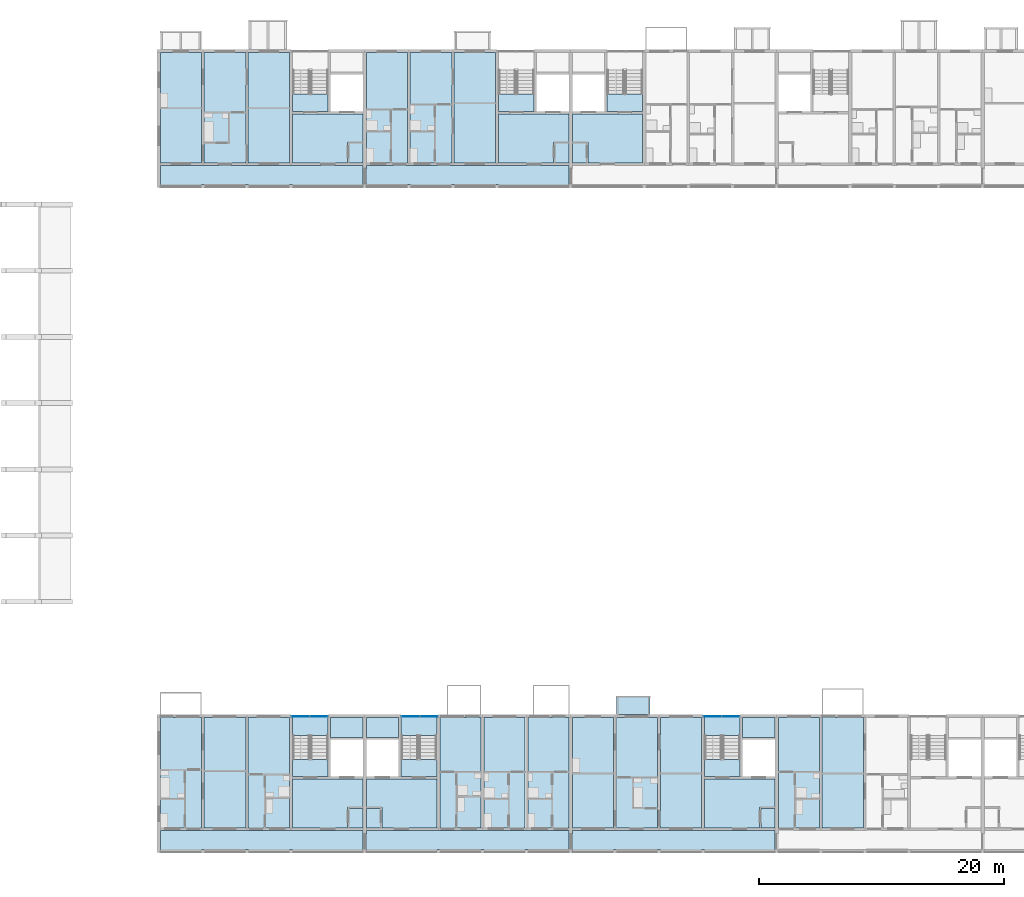
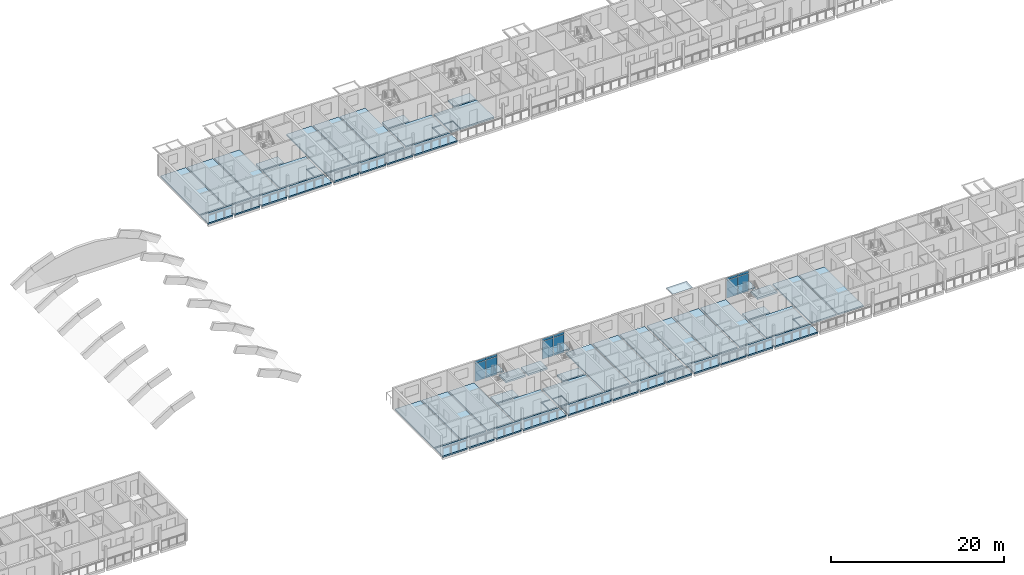
# One storey, part 25 of 99: 47 slabs, 12 plates, 6 elements without a shape of their own.
"""IFC4 building model written with IfcOpenShell, lengths in metres."""

from ifc_helpers import new_model, si_unit, direction, frame, origin, origin_2d, place, context, subcontext, project, spatial, polyline, rectangle, outline, extrude, material, layer, layer_set, type_object, element, aggregate, save


model = new_model("IFC4")

# Units and contexts
model_context = context("Model", 3, precision=1e-05, world=origin(), true_north=direction((0.0, 1.0)))
body_context = subcontext(model_context, "Body", "Model", "MODEL_VIEW")
ifc_project = project(units=[si_unit("LENGTHUNIT", "METRE"), si_unit("AREAUNIT", "SQUARE_METRE"), si_unit("VOLUMEUNIT", "CUBIC_METRE"), si_unit("PLANEANGLEUNIT", "RADIAN"), si_unit("MASSUNIT", "GRAM", prefix="KILO")], contexts=[model_context])

# Site, building, storey
site_placement = place(None, origin())
site = spatial("IfcSite", under=ifc_project, at=site_placement, CompositionType="ELEMENT")
building_placement = place(site_placement, origin())
building = spatial("IfcBuilding", under=site, at=building_placement, Name="Ridgestep Commons", CompositionType="ELEMENT")
storey_placement = place(building_placement, frame((0.0, 0.0, 15.0)))
storey = spatial("IfcBuildingStorey", under=building, at=storey_placement, Name="L05", CompositionType="ELEMENT", Elevation=15.0)

# Slabs
ifc_material_1 = material(Name="Precast concrete C40/50", Category="concrete")
ifc_layer_1 = layer(ifc_material_1, 0.199951171875)
ifc_layer_set_1 = layer_set([ifc_layer_1], Name="Gallery slab 200")
slab_type_1 = type_object("IfcSlabType", Name="Gallery slab 200", PredefinedType="FLOOR", material=ifc_layer_set_1)
slab_1_placement = place(storey_placement, frame((0.0, 0.0, -0.199951171875)))
element("IfcSlab", 1, at=slab_1_placement, inside=storey, type_object=slab_type_1, Name="Gallery slab C1 L05", PredefinedType="FLOOR", context=body_context, shape_type="SweptSolid", body=[
    extrude(outline(polyline([(163.449951171875, 67.800048828125), (146.949951171875, 67.800048828125), (146.949951171875, 66.0), (150.27490234375, 66.0), (150.27490234375, 66.25), (150.52490234375, 66.25), (150.52490234375, 66.0), (153.875, 66.0), (153.875, 66.25), (154.125, 66.25), (154.125, 66.0), (157.47509765625, 66.0), (157.47509765625, 66.25), (157.72509765625, 66.25), (157.72509765625, 66.0), (163.449951171875, 66.0), (163.449951171875, 67.800048828125)])), origin(), (0.0, 0.0, 1.0), 0.199951171875),
])
slab_2_placement = place(storey_placement, frame((0.0, 0.0, -0.199951171875)))
element("IfcSlab", 2, at=slab_2_placement, inside=storey, type_object=slab_type_1, Name="Gallery slab C2 L05", PredefinedType="FLOOR", context=body_context, shape_type="SweptSolid", body=[
    extrude(outline(polyline([(180.25, 67.800048828125), (163.75, 67.800048828125), (163.75, 66.0), (167.074951171875, 66.0), (167.074951171875, 66.25), (167.324951171875, 66.25), (167.324951171875, 66.0), (170.675048828125, 66.0), (170.675048828125, 66.25), (170.925048828125, 66.25), (170.925048828125, 66.0), (174.27490234375, 66.0), (174.27490234375, 66.25), (174.52490234375, 66.25), (174.52490234375, 66.0), (180.25, 66.0), (180.25, 67.800048828125)])), origin(), (0.0, 0.0, 1.0), 0.199951171875),
])
slab_3_placement = place(storey_placement, frame((0.0, 0.0, -0.199951171875)))
element("IfcSlab", 3, at=slab_3_placement, inside=storey, type_object=slab_type_1, Name="Gallery slab D1 L05", PredefinedType="FLOOR", context=body_context, shape_type="SweptSolid", body=[
    extrude(outline(polyline([(163.449951171875, 13.550048828125), (146.949951171875, 13.550048828125), (146.949951171875, 11.75), (150.27490234375, 11.75), (150.27490234375, 12.0), (150.52490234375, 12.0), (150.52490234375, 11.75), (153.875, 11.75), (153.875, 12.0), (154.125, 12.0), (154.125, 11.75), (157.47509765625, 11.75), (157.47509765625, 12.0), (157.72509765625, 12.0), (157.72509765625, 11.75), (163.449951171875, 11.75), (163.449951171875, 13.550048828125)])), origin(), (0.0, 0.0, 1.0), 0.199951171875),
])
slab_4_placement = place(storey_placement, frame((0.0, 0.0, -0.199951171875)))
element("IfcSlab", 4, at=slab_4_placement, inside=storey, type_object=slab_type_1, Name="Gallery slab D2 L05", PredefinedType="FLOOR", context=body_context, shape_type="SweptSolid", body=[
    extrude(outline(polyline([(180.25, 13.550048828125), (163.75, 13.550048828125), (163.75, 11.75), (169.47509765625, 11.75), (169.47509765625, 12.0), (169.72509765625, 12.0), (169.72509765625, 11.75), (173.074951171875, 11.75), (173.074951171875, 12.0), (173.324951171875, 12.0), (173.324951171875, 11.75), (176.675048828125, 11.75), (176.675048828125, 12.0), (176.925048828125, 12.0), (176.925048828125, 11.75), (180.25, 11.75), (180.25, 13.550048828125)])), origin(), (0.0, 0.0, 1.0), 0.199951171875),
])
slab_5_placement = place(storey_placement, frame((0.0, 0.0, -0.199951171875)))
element("IfcSlab", 5, at=slab_5_placement, inside=storey, type_object=slab_type_1, Name="Gallery slab D3 L05", PredefinedType="FLOOR", context=body_context, shape_type="SweptSolid", body=[
    extrude(outline(polyline([(197.050048828125, 13.550048828125), (180.550048828125, 13.550048828125), (180.550048828125, 11.75), (183.875, 11.75), (183.875, 12.0), (184.125, 12.0), (184.125, 11.75), (187.47509765625, 11.75), (187.47509765625, 12.0), (187.72509765625, 12.0), (187.72509765625, 11.75), (191.074951171875, 11.75), (191.074951171875, 12.0), (191.324951171875, 12.0), (191.324951171875, 11.75), (197.050048828125, 11.75), (197.050048828125, 13.550048828125)])), origin(), (0.0, 0.0, 1.0), 0.199951171875),
])

# Curtain wall, plates
ifc_material_2 = material(Name="Aluminium 6063-T6 and glass", Category="aluminium")
curtain_wall_type = type_object("IfcCurtainWallType", Name="Curtain wall stair strip", PredefinedType="NOTDEFINED", material=ifc_material_2)
curtain_wall_1_placement = place(storey_placement, origin())
curtain_wall_1 = element("IfcCurtainWall", 6, at=curtain_wall_1_placement, inside=storey, type_object=curtain_wall_type, Name="Curtain wall D1C level 05", PredefinedType="NOTDEFINED")
ifc_material_3 = material(Name="Glass laminated 6/16/6 low-emissivity", Category="glass")
ifc_layer_2 = layer(ifc_material_3, 0.028076171875)
ifc_layer_set_2 = layer_set([ifc_layer_2], Name="Glazing panel 28")
plate_type_1 = type_object("IfcPlateType", Name="Glazing panel 28", PredefinedType="CURTAIN_PANEL", material=ifc_layer_set_2)
plate_1_placement = place(storey_placement, frame((158.371337890625, 22.830078125, 0.06005859375), z_axis=(0.0, 0.0, 1.0), x_axis=(1.0, 0.0, 0.0)))
plate_1 = element("IfcPlate", 7, at=plate_1_placement, type_object=plate_type_1, Name="CW1 panel 1.1", PredefinedType="CURTAIN_PANEL", context=body_context, shape_type="SweptSolid", body=[
    extrude(rectangle(XDim=1.422607421875, YDim=0.028076171875, at=origin_2d()), origin(), (0.0, 0.0, 1.0), 2.5),
])
plate_2_placement = place(storey_placement, frame((159.853759765625, 22.830078125, 0.06005859375), z_axis=(0.0, 0.0, 1.0), x_axis=(1.0, 0.0, 0.0)))
plate_2 = element("IfcPlate", 8, at=plate_2_placement, type_object=plate_type_1, Name="CW1 panel 2.1", PredefinedType="CURTAIN_PANEL", context=body_context, shape_type="SweptSolid", body=[
    extrude(rectangle(XDim=1.422607421875, YDim=0.028076171875, at=origin_2d()), origin(), (0.0, 0.0, 1.0), 2.5),
])

curtain_wall_2_placement = place(storey_placement, origin())
curtain_wall_2 = element("IfcCurtainWall", 9, at=curtain_wall_2_placement, inside=storey, type_object=curtain_wall_type, Name="Curtain wall D2C level 05", PredefinedType="NOTDEFINED")
plate_3_placement = place(storey_placement, frame((167.34619140625, 22.830078125, 0.06005859375), z_axis=(0.0, 0.0, 1.0), x_axis=(1.0, 0.0, 0.0)))
plate_3 = element("IfcPlate", 10, at=plate_3_placement, type_object=plate_type_1, Name="CW1 panel 1.1", PredefinedType="CURTAIN_PANEL", context=body_context, shape_type="SweptSolid", body=[
    extrude(rectangle(XDim=1.422607421875, YDim=0.028076171875, at=origin_2d()), origin(), (0.0, 0.0, 1.0), 2.5),
])
plate_4_placement = place(storey_placement, frame((168.828857421875, 22.830078125, 0.06005859375), z_axis=(0.0, 0.0, 1.0), x_axis=(1.0, 0.0, 0.0)))
plate_4 = element("IfcPlate", 11, at=plate_4_placement, type_object=plate_type_1, Name="CW1 panel 2.1", PredefinedType="CURTAIN_PANEL", context=body_context, shape_type="SweptSolid", body=[
    extrude(rectangle(XDim=1.422607421875, YDim=0.028076171875, at=origin_2d()), origin(), (0.0, 0.0, 1.0), 2.5),
])

curtain_wall_3_placement = place(storey_placement, origin())
curtain_wall_3 = element("IfcCurtainWall", 12, at=curtain_wall_3_placement, inside=storey, type_object=curtain_wall_type, Name="Curtain wall D3C level 05", PredefinedType="NOTDEFINED")
plate_5_placement = place(storey_placement, frame((191.97119140625, 22.830078125, 0.06005859375), z_axis=(0.0, 0.0, 1.0), x_axis=(1.0, 0.0, 0.0)))
plate_5 = element("IfcPlate", 13, at=plate_5_placement, type_object=plate_type_1, Name="CW1 panel 1.1", PredefinedType="CURTAIN_PANEL", context=body_context, shape_type="SweptSolid", body=[
    extrude(rectangle(XDim=1.422607421875, YDim=0.028076171875, at=origin_2d()), origin(), (0.0, 0.0, 1.0), 2.5),
])
plate_6_placement = place(storey_placement, frame((193.453857421875, 22.830078125, 0.06005859375), z_axis=(0.0, 0.0, 1.0), x_axis=(1.0, 0.0, 0.0)))
plate_6 = element("IfcPlate", 14, at=plate_6_placement, type_object=plate_type_1, Name="CW1 panel 2.1", PredefinedType="CURTAIN_PANEL", context=body_context, shape_type="SweptSolid", body=[
    extrude(rectangle(XDim=1.422607421875, YDim=0.028076171875, at=origin_2d()), origin(), (0.0, 0.0, 1.0), 2.5),
])

# Slabs
ifc_material_4 = material(Name="Precast concrete C50/60", Category="concrete")
ifc_layer_3 = layer(ifc_material_4, 0.199951171875)
ifc_layer_set_3 = layer_set([ifc_layer_3], Name="Hollow-core plank 200")
slab_type_2 = type_object("IfcSlabType", Name="Hollow-core plank 200", PredefinedType="FLOOR", material=ifc_layer_set_3)
slab_6_placement = place(storey_placement, frame((0.0, 0.0, -0.199951171875)))
element("IfcSlab", 15, at=slab_6_placement, inside=storey, type_object=slab_type_2, Name="Floor plank C1T1 L05", PredefinedType="FLOOR", context=body_context, shape_type="SweptSolid", body=[
    extrude(outline(polyline([(150.300048828125, 68.0), (150.300048828125, 77.0), (146.949951171875, 77.0), (146.949951171875, 68.0), (150.300048828125, 68.0)])), origin(), (0.0, 0.0, 1.0), 0.199951171875),
])
slab_7_placement = place(storey_placement, frame((0.0, 0.0, -0.199951171875)))
element("IfcSlab", 16, at=slab_7_placement, inside=storey, type_object=slab_type_2, Name="Floor plank C1T2 L05", PredefinedType="FLOOR", context=body_context, shape_type="SweptSolid", body=[
    extrude(outline(polyline([(153.89990234375, 68.0), (153.89990234375, 77.0), (150.5, 77.0), (150.5, 68.0), (153.89990234375, 68.0)])), origin(), (0.0, 0.0, 1.0), 0.199951171875),
])
slab_8_placement = place(storey_placement, frame((0.0, 0.0, -0.199951171875)))
element("IfcSlab", 17, at=slab_8_placement, inside=storey, type_object=slab_type_2, Name="Floor plank C1T3 L05", PredefinedType="FLOOR", context=body_context, shape_type="SweptSolid", body=[
    extrude(outline(polyline([(157.47509765625, 68.0), (157.47509765625, 77.0), (154.10009765625, 77.0), (154.10009765625, 68.0), (157.47509765625, 68.0)])), origin(), (0.0, 0.0, 1.0), 0.199951171875),
])
slab_9_placement = place(storey_placement, frame((0.0, 0.0, -0.199951171875)))
element("IfcSlab", 18, at=slab_9_placement, inside=storey, type_object=slab_type_2, Name="Floor plank C2T1 L05", PredefinedType="FLOOR", context=body_context, shape_type="SweptSolid", body=[
    extrude(outline(polyline([(167.10009765625, 68.0), (167.10009765625, 77.0), (163.75, 77.0), (163.75, 68.0), (167.10009765625, 68.0)])), origin(), (0.0, 0.0, 1.0), 0.199951171875),
])
slab_10_placement = place(storey_placement, frame((0.0, 0.0, -0.199951171875)))
element("IfcSlab", 19, at=slab_10_placement, inside=storey, type_object=slab_type_2, Name="Floor plank C2T2 L05", PredefinedType="FLOOR", context=body_context, shape_type="SweptSolid", body=[
    extrude(outline(polyline([(170.699951171875, 68.0), (170.699951171875, 77.0), (167.300048828125, 77.0), (167.300048828125, 68.0), (170.699951171875, 68.0)])), origin(), (0.0, 0.0, 1.0), 0.199951171875),
])
slab_11_placement = place(storey_placement, frame((0.0, 0.0, -0.199951171875)))
element("IfcSlab", 20, at=slab_11_placement, inside=storey, type_object=slab_type_2, Name="Floor plank C2T3 L05", PredefinedType="FLOOR", context=body_context, shape_type="SweptSolid", body=[
    extrude(outline(polyline([(174.27490234375, 68.0), (174.27490234375, 77.0), (170.89990234375, 77.0), (170.89990234375, 68.0), (174.27490234375, 68.0)])), origin(), (0.0, 0.0, 1.0), 0.199951171875),
])
slab_12_placement = place(storey_placement, frame((0.0, 0.0, -0.199951171875)))
element("IfcSlab", 21, at=slab_12_placement, inside=storey, type_object=slab_type_2, Name="Floor plank D1T1 L05", PredefinedType="FLOOR", context=body_context, shape_type="SweptSolid", body=[
    extrude(outline(polyline([(150.300048828125, 13.75), (150.300048828125, 22.75), (146.949951171875, 22.75), (146.949951171875, 13.75), (150.300048828125, 13.75)])), origin(), (0.0, 0.0, 1.0), 0.199951171875),
])
slab_13_placement = place(storey_placement, frame((0.0, 0.0, -0.199951171875)))
element("IfcSlab", 22, at=slab_13_placement, inside=storey, type_object=slab_type_2, Name="Floor plank D1T2 L05", PredefinedType="FLOOR", context=body_context, shape_type="SweptSolid", body=[
    extrude(outline(polyline([(153.89990234375, 13.75), (153.89990234375, 22.75), (150.5, 22.75), (150.5, 13.75), (153.89990234375, 13.75)])), origin(), (0.0, 0.0, 1.0), 0.199951171875),
])
slab_14_placement = place(storey_placement, frame((0.0, 0.0, -0.199951171875)))
element("IfcSlab", 23, at=slab_14_placement, inside=storey, type_object=slab_type_2, Name="Floor plank D1T3 L05", PredefinedType="FLOOR", context=body_context, shape_type="SweptSolid", body=[
    extrude(outline(polyline([(157.47509765625, 13.75), (157.47509765625, 22.75), (154.10009765625, 22.75), (154.10009765625, 13.75), (157.47509765625, 13.75)])), origin(), (0.0, 0.0, 1.0), 0.199951171875),
])
slab_15_placement = place(storey_placement, frame((0.0, 0.0, -0.199951171875)))
element("IfcSlab", 24, at=slab_15_placement, inside=storey, type_object=slab_type_2, Name="Floor plank D2T3 L05", PredefinedType="FLOOR", context=body_context, shape_type="SweptSolid", body=[
    extrude(outline(polyline([(173.074951171875, 13.75), (173.074951171875, 22.75), (169.72509765625, 22.75), (169.72509765625, 13.75), (173.074951171875, 13.75)])), origin(), (0.0, 0.0, 1.0), 0.199951171875),
])
slab_16_placement = place(storey_placement, frame((0.0, 0.0, -0.199951171875)))
element("IfcSlab", 25, at=slab_16_placement, inside=storey, type_object=slab_type_2, Name="Floor plank D2T2 L05", PredefinedType="FLOOR", context=body_context, shape_type="SweptSolid", body=[
    extrude(outline(polyline([(176.675048828125, 13.75), (176.675048828125, 22.75), (173.324951171875, 22.75), (173.324951171875, 13.75), (176.675048828125, 13.75)])), origin(), (0.0, 0.0, 1.0), 0.199951171875),
])
slab_17_placement = place(storey_placement, frame((0.0, 0.0, -0.199951171875)))
element("IfcSlab", 26, at=slab_17_placement, inside=storey, type_object=slab_type_2, Name="Floor plank D2T1 L05", PredefinedType="FLOOR", context=body_context, shape_type="SweptSolid", body=[
    extrude(outline(polyline([(180.25, 13.75), (180.25, 22.75), (176.925048828125, 22.75), (176.925048828125, 13.75), (180.25, 13.75)])), origin(), (0.0, 0.0, 1.0), 0.199951171875),
])
slab_18_placement = place(storey_placement, frame((0.0, 0.0, -0.199951171875)))
element("IfcSlab", 27, at=slab_18_placement, inside=storey, type_object=slab_type_2, Name="Floor plank D3T1 L05", PredefinedType="FLOOR", context=body_context, shape_type="SweptSolid", body=[
    extrude(outline(polyline([(183.875, 13.75), (183.875, 22.75), (180.550048828125, 22.75), (180.550048828125, 13.75), (183.875, 13.75)])), origin(), (0.0, 0.0, 1.0), 0.199951171875),
])
slab_19_placement = place(storey_placement, frame((0.0, 0.0, -0.199951171875)))
element("IfcSlab", 28, at=slab_19_placement, inside=storey, type_object=slab_type_2, Name="Floor plank D3T2 L05", PredefinedType="FLOOR", context=body_context, shape_type="SweptSolid", body=[
    extrude(outline(polyline([(187.47509765625, 13.75), (187.47509765625, 22.75), (184.125, 22.75), (184.125, 13.75), (187.47509765625, 13.75)])), origin(), (0.0, 0.0, 1.0), 0.199951171875),
])
slab_20_placement = place(storey_placement, frame((0.0, 0.0, -0.199951171875)))
element("IfcSlab", 29, at=slab_20_placement, inside=storey, type_object=slab_type_2, Name="Floor plank D3T3 L05", PredefinedType="FLOOR", context=body_context, shape_type="SweptSolid", body=[
    extrude(outline(polyline([(191.074951171875, 13.75), (191.074951171875, 22.75), (187.72509765625, 22.75), (187.72509765625, 13.75), (191.074951171875, 13.75)])), origin(), (0.0, 0.0, 1.0), 0.199951171875),
])
slab_21_placement = place(storey_placement, frame((0.0, 0.0, -0.199951171875)))
element("IfcSlab", 30, at=slab_21_placement, inside=storey, type_object=slab_type_2, Name="Floor plank D4T1 L05", PredefinedType="FLOOR", context=body_context, shape_type="SweptSolid", body=[
    extrude(outline(polyline([(200.699951171875, 13.75), (200.699951171875, 22.75), (197.35009765625, 22.75), (197.35009765625, 13.75), (200.699951171875, 13.75)])), origin(), (0.0, 0.0, 1.0), 0.199951171875),
])
slab_22_placement = place(storey_placement, frame((0.0, 0.0, -0.199951171875)))
element("IfcSlab", 31, at=slab_22_placement, inside=storey, type_object=slab_type_2, Name="Floor plank D4T2 L05", PredefinedType="FLOOR", context=body_context, shape_type="SweptSolid", body=[
    extrude(outline(polyline([(204.27490234375, 13.75), (204.27490234375, 22.75), (200.89990234375, 22.75), (200.89990234375, 13.75), (204.27490234375, 13.75)])), origin(), (0.0, 0.0, 1.0), 0.199951171875),
])
ifc_material_5 = material(Name="Precast concrete C50/60", Category="concrete")
ifc_layer_4 = layer(ifc_material_5, 0.25)
ifc_layer_set_4 = layer_set([ifc_layer_4], Name="Hollow-core plank 250")
slab_type_3 = type_object("IfcSlabType", Name="Hollow-core plank 250", PredefinedType="FLOOR", material=ifc_layer_set_4)
slab_23_placement = place(storey_placement, frame((0.0, 0.0, -0.25)))
element("IfcSlab", 32, at=slab_23_placement, inside=storey, type_object=slab_type_3, Name="Floor plank C1C L05", PredefinedType="FLOOR", context=body_context, shape_type="SweptSolid", body=[
    extrude(outline(polyline([(162.320068359375, 69.719970703125), (163.449951171875, 69.719970703125), (163.449951171875, 72.0), (157.72509765625, 72.0), (157.72509765625, 68.0), (162.199951171875, 68.0), (162.199951171875, 69.719970703125), (162.320068359375, 69.719970703125)])), origin(), (0.0, 0.0, 1.0), 0.25),
])
slab_24_placement = place(storey_placement, frame((0.0, 0.0, -0.25)))
element("IfcSlab", 33, at=slab_24_placement, inside=storey, type_object=slab_type_3, Name="Floor plank C1C L05", PredefinedType="FLOOR", context=body_context, shape_type="SweptSolid", body=[
    extrude(outline(polyline([(160.625, 72.199951171875), (160.625, 73.60009765625), (157.72509765625, 73.60009765625), (157.72509765625, 72.199951171875), (160.625, 72.199951171875)])), origin(), (0.0, 0.0, 1.0), 0.25),
])
slab_25_placement = place(storey_placement, frame((0.0, 0.0, -0.25)))
element("IfcSlab", 34, at=slab_25_placement, inside=storey, type_object=slab_type_3, Name="Floor plank C1C L05", PredefinedType="FLOOR", context=body_context, shape_type="SweptSolid", body=[
    extrude(outline(polyline([(162.320068359375, 68.0), (163.449951171875, 68.0), (163.449951171875, 69.60009765625), (162.320068359375, 69.60009765625), (162.320068359375, 68.0)])), origin(), (0.0, 0.0, 1.0), 0.25),
])
slab_26_placement = place(storey_placement, frame((0.0, 0.0, -0.25)))
element("IfcSlab", 35, at=slab_26_placement, inside=storey, type_object=slab_type_3, Name="Floor plank C2C L05", PredefinedType="FLOOR", context=body_context, shape_type="SweptSolid", body=[
    extrude(outline(polyline([(179.1201171875, 69.719970703125), (180.25, 69.719970703125), (180.25, 72.0), (174.52490234375, 72.0), (174.52490234375, 68.0), (179.0, 68.0), (179.0, 69.719970703125), (179.1201171875, 69.719970703125)])), origin(), (0.0, 0.0, 1.0), 0.25),
])
slab_27_placement = place(storey_placement, frame((0.0, 0.0, -0.25)))
element("IfcSlab", 36, at=slab_27_placement, inside=storey, type_object=slab_type_3, Name="Floor plank C2C L05", PredefinedType="FLOOR", context=body_context, shape_type="SweptSolid", body=[
    extrude(outline(polyline([(177.425048828125, 72.199951171875), (177.425048828125, 73.60009765625), (174.52490234375, 73.60009765625), (174.52490234375, 72.199951171875), (177.425048828125, 72.199951171875)])), origin(), (0.0, 0.0, 1.0), 0.25),
])
slab_28_placement = place(storey_placement, frame((0.0, 0.0, -0.25)))
element("IfcSlab", 37, at=slab_28_placement, inside=storey, type_object=slab_type_3, Name="Floor plank C2C L05", PredefinedType="FLOOR", context=body_context, shape_type="SweptSolid", body=[
    extrude(outline(polyline([(179.1201171875, 68.0), (180.25, 68.0), (180.25, 69.60009765625), (179.1201171875, 69.60009765625), (179.1201171875, 68.0)])), origin(), (0.0, 0.0, 1.0), 0.25),
])
slab_29_placement = place(storey_placement, frame((0.0, 0.0, -0.25)))
element("IfcSlab", 38, at=slab_29_placement, inside=storey, type_object=slab_type_3, Name="Floor plank C3C L05", PredefinedType="FLOOR", context=body_context, shape_type="SweptSolid", body=[
    extrude(outline(polyline([(181.800048828125, 68.0), (186.27490234375, 68.0), (186.27490234375, 72.0), (180.550048828125, 72.0), (180.550048828125, 69.719970703125), (181.679931640625, 69.719970703125), (181.800048828125, 69.719970703125), (181.800048828125, 68.0)])), origin(), (0.0, 0.0, 1.0), 0.25),
])
slab_30_placement = place(storey_placement, frame((0.0, 0.0, -0.25)))
element("IfcSlab", 39, at=slab_30_placement, inside=storey, type_object=slab_type_3, Name="Floor plank C3C L05", PredefinedType="FLOOR", context=body_context, shape_type="SweptSolid", body=[
    extrude(outline(polyline([(186.27490234375, 72.199951171875), (186.27490234375, 73.60009765625), (183.375, 73.60009765625), (183.375, 72.199951171875), (186.27490234375, 72.199951171875)])), origin(), (0.0, 0.0, 1.0), 0.25),
])
slab_31_placement = place(storey_placement, frame((0.0, 0.0, -0.25)))
element("IfcSlab", 40, at=slab_31_placement, inside=storey, type_object=slab_type_3, Name="Floor plank C3C L05", PredefinedType="FLOOR", context=body_context, shape_type="SweptSolid", body=[
    extrude(outline(polyline([(181.679931640625, 69.60009765625), (180.550048828125, 69.60009765625), (180.550048828125, 68.0), (181.679931640625, 68.0), (181.679931640625, 69.60009765625)])), origin(), (0.0, 0.0, 1.0), 0.25),
])
slab_32_placement = place(storey_placement, frame((0.0, 0.0, -0.25)))
element("IfcSlab", 41, at=slab_32_placement, inside=storey, type_object=slab_type_3, Name="Floor plank D1C L05", PredefinedType="FLOOR", context=body_context, shape_type="SweptSolid", body=[
    extrude(outline(polyline([(162.320068359375, 15.469970703125), (163.449951171875, 15.469970703125), (163.449951171875, 17.75), (157.72509765625, 17.75), (157.72509765625, 13.75), (162.199951171875, 13.75), (162.199951171875, 15.469970703125), (162.320068359375, 15.469970703125)])), origin(), (0.0, 0.0, 1.0), 0.25),
])
slab_33_placement = place(storey_placement, frame((0.0, 0.0, -0.25)))
element("IfcSlab", 42, at=slab_33_placement, inside=storey, type_object=slab_type_3, Name="Floor plank D1C L05", PredefinedType="FLOOR", context=body_context, shape_type="SweptSolid", body=[
    extrude(outline(polyline([(163.449951171875, 21.14990234375), (163.449951171875, 22.75), (160.824951171875, 22.75), (160.824951171875, 21.14990234375), (163.449951171875, 21.14990234375)])), origin(), (0.0, 0.0, 1.0), 0.25),
])
slab_34_placement = place(storey_placement, frame((0.0, 0.0, -0.25)))
element("IfcSlab", 43, at=slab_34_placement, inside=storey, type_object=slab_type_3, Name="Floor plank D1C L05", PredefinedType="FLOOR", context=body_context, shape_type="SweptSolid", body=[
    extrude(outline(polyline([(160.625, 17.949951171875), (160.625, 19.35009765625), (157.72509765625, 19.35009765625), (157.72509765625, 17.949951171875), (160.625, 17.949951171875)])), origin(), (0.0, 0.0, 1.0), 0.25),
])
slab_35_placement = place(storey_placement, frame((0.0, 0.0, -0.25)))
element("IfcSlab", 44, at=slab_35_placement, inside=storey, type_object=slab_type_3, Name="Floor plank D1C L05", PredefinedType="FLOOR", context=body_context, shape_type="SweptSolid", body=[
    extrude(outline(polyline([(162.320068359375, 13.75), (163.449951171875, 13.75), (163.449951171875, 15.35009765625), (162.320068359375, 15.35009765625), (162.320068359375, 13.75)])), origin(), (0.0, 0.0, 1.0), 0.25),
])
slab_36_placement = place(storey_placement, frame((0.0, 0.0, -0.25)))
element("IfcSlab", 45, at=slab_36_placement, inside=storey, type_object=slab_type_3, Name="Floor plank D2C L05", PredefinedType="FLOOR", context=body_context, shape_type="SweptSolid", body=[
    extrude(outline(polyline([(165.0, 13.75), (169.47509765625, 13.75), (169.47509765625, 17.75), (163.75, 17.75), (163.75, 15.469970703125), (164.8798828125, 15.469970703125), (165.0, 15.469970703125), (165.0, 13.75)])), origin(), (0.0, 0.0, 1.0), 0.25),
])
slab_37_placement = place(storey_placement, frame((0.0, 0.0, -0.25)))
element("IfcSlab", 46, at=slab_37_placement, inside=storey, type_object=slab_type_3, Name="Floor plank D2C L05", PredefinedType="FLOOR", context=body_context, shape_type="SweptSolid", body=[
    extrude(outline(polyline([(166.375, 22.75), (163.75, 22.75), (163.75, 21.14990234375), (166.375, 21.14990234375), (166.375, 22.75)])), origin(), (0.0, 0.0, 1.0), 0.25),
])
slab_38_placement = place(storey_placement, frame((0.0, 0.0, -0.25)))
element("IfcSlab", 47, at=slab_38_placement, inside=storey, type_object=slab_type_3, Name="Floor plank D2C L05", PredefinedType="FLOOR", context=body_context, shape_type="SweptSolid", body=[
    extrude(outline(polyline([(169.47509765625, 17.949951171875), (169.47509765625, 19.35009765625), (166.574951171875, 19.35009765625), (166.574951171875, 17.949951171875), (169.47509765625, 17.949951171875)])), origin(), (0.0, 0.0, 1.0), 0.25),
])
slab_39_placement = place(storey_placement, frame((0.0, 0.0, -0.25)))
element("IfcSlab", 48, at=slab_39_placement, inside=storey, type_object=slab_type_3, Name="Floor plank D2C L05", PredefinedType="FLOOR", context=body_context, shape_type="SweptSolid", body=[
    extrude(outline(polyline([(164.8798828125, 15.35009765625), (163.75, 15.35009765625), (163.75, 13.75), (164.8798828125, 13.75), (164.8798828125, 15.35009765625)])), origin(), (0.0, 0.0, 1.0), 0.25),
])
slab_40_placement = place(storey_placement, frame((0.0, 0.0, -0.25)))
element("IfcSlab", 49, at=slab_40_placement, inside=storey, type_object=slab_type_3, Name="Floor plank D3C L05", PredefinedType="FLOOR", context=body_context, shape_type="SweptSolid", body=[
    extrude(outline(polyline([(195.919921875, 15.469970703125), (197.050048828125, 15.469970703125), (197.050048828125, 17.75), (191.324951171875, 17.75), (191.324951171875, 13.75), (195.800048828125, 13.75), (195.800048828125, 15.469970703125), (195.919921875, 15.469970703125)])), origin(), (0.0, 0.0, 1.0), 0.25),
])
slab_41_placement = place(storey_placement, frame((0.0, 0.0, -0.25)))
element("IfcSlab", 50, at=slab_41_placement, inside=storey, type_object=slab_type_3, Name="Floor plank D3C L05", PredefinedType="FLOOR", context=body_context, shape_type="SweptSolid", body=[
    extrude(outline(polyline([(197.050048828125, 21.14990234375), (197.050048828125, 22.75), (194.425048828125, 22.75), (194.425048828125, 21.14990234375), (197.050048828125, 21.14990234375)])), origin(), (0.0, 0.0, 1.0), 0.25),
])
slab_42_placement = place(storey_placement, frame((0.0, 0.0, -0.25)))
element("IfcSlab", 51, at=slab_42_placement, inside=storey, type_object=slab_type_3, Name="Floor plank D3C L05", PredefinedType="FLOOR", context=body_context, shape_type="SweptSolid", body=[
    extrude(outline(polyline([(194.22509765625, 17.949951171875), (194.22509765625, 19.35009765625), (191.324951171875, 19.35009765625), (191.324951171875, 17.949951171875), (194.22509765625, 17.949951171875)])), origin(), (0.0, 0.0, 1.0), 0.25),
])
slab_43_placement = place(storey_placement, frame((0.0, 0.0, -0.25)))
element("IfcSlab", 52, at=slab_43_placement, inside=storey, type_object=slab_type_3, Name="Floor plank D3C L05", PredefinedType="FLOOR", context=body_context, shape_type="SweptSolid", body=[
    extrude(outline(polyline([(195.919921875, 13.75), (197.050048828125, 13.75), (197.050048828125, 15.35009765625), (195.919921875, 15.35009765625), (195.919921875, 13.75)])), origin(), (0.0, 0.0, 1.0), 0.25),
])

# Plate
ifc_material_6 = material(Name="Aluminium 6063-T6 and mineral wool", Category="aluminium")
ifc_layer_5 = layer(ifc_material_6, 0.0400390625)
ifc_layer_set_5 = layer_set([ifc_layer_5], Name="Spandrel panel 40")
plate_type_2 = type_object("IfcPlateType", Name="Spandrel panel 40", PredefinedType="CURTAIN_PANEL", material=ifc_layer_set_5)
plate_7_placement = place(storey_placement, frame((158.371337890625, 22.830078125, 2.6201171875), z_axis=(0.0, 0.0, 1.0), x_axis=(1.0, 0.0, 0.0)))
plate_7 = element("IfcPlate", 53, at=plate_7_placement, type_object=plate_type_2, Name="CW1 panel 1.2", PredefinedType="CURTAIN_PANEL", context=body_context, shape_type="SweptSolid", body=[
    extrude(rectangle(XDim=1.422607421875, YDim=0.0400390625, at=origin_2d()), origin(), (0.0, 0.0, 1.0), 0.320068359375),
])

plate_8_placement = place(storey_placement, frame((159.853759765625, 22.830078125, 2.6201171875), z_axis=(0.0, 0.0, 1.0), x_axis=(1.0, 0.0, 0.0)))
plate_8 = element("IfcPlate", 54, at=plate_8_placement, type_object=plate_type_2, Name="CW1 panel 2.2", PredefinedType="CURTAIN_PANEL", context=body_context, shape_type="SweptSolid", body=[
    extrude(rectangle(XDim=1.422607421875, YDim=0.0400390625, at=origin_2d()), origin(), (0.0, 0.0, 1.0), 0.320068359375),
])

aggregate(curtain_wall_1, [plate_1, plate_7, plate_2, plate_8])

plate_9_placement = place(storey_placement, frame((167.34619140625, 22.830078125, 2.6201171875), z_axis=(0.0, 0.0, 1.0), x_axis=(1.0, 0.0, 0.0)))
plate_9 = element("IfcPlate", 55, at=plate_9_placement, type_object=plate_type_2, Name="CW1 panel 1.2", PredefinedType="CURTAIN_PANEL", context=body_context, shape_type="SweptSolid", body=[
    extrude(rectangle(XDim=1.422607421875, YDim=0.0400390625, at=origin_2d()), origin(), (0.0, 0.0, 1.0), 0.320068359375),
])

plate_10_placement = place(storey_placement, frame((168.828857421875, 22.830078125, 2.6201171875), z_axis=(0.0, 0.0, 1.0), x_axis=(1.0, 0.0, 0.0)))
plate_10 = element("IfcPlate", 56, at=plate_10_placement, type_object=plate_type_2, Name="CW1 panel 2.2", PredefinedType="CURTAIN_PANEL", context=body_context, shape_type="SweptSolid", body=[
    extrude(rectangle(XDim=1.422607421875, YDim=0.0400390625, at=origin_2d()), origin(), (0.0, 0.0, 1.0), 0.320068359375),
])

aggregate(curtain_wall_2, [plate_3, plate_9, plate_4, plate_10])

plate_11_placement = place(storey_placement, frame((191.97119140625, 22.830078125, 2.6201171875), z_axis=(0.0, 0.0, 1.0), x_axis=(1.0, 0.0, 0.0)))
plate_11 = element("IfcPlate", 57, at=plate_11_placement, type_object=plate_type_2, Name="CW1 panel 1.2", PredefinedType="CURTAIN_PANEL", context=body_context, shape_type="SweptSolid", body=[
    extrude(rectangle(XDim=1.422607421875, YDim=0.0400390625, at=origin_2d()), origin(), (0.0, 0.0, 1.0), 0.320068359375),
])

plate_12_placement = place(storey_placement, frame((193.453857421875, 22.830078125, 2.6201171875), z_axis=(0.0, 0.0, 1.0), x_axis=(1.0, 0.0, 0.0)))
plate_12 = element("IfcPlate", 58, at=plate_12_placement, type_object=plate_type_2, Name="CW1 panel 2.2", PredefinedType="CURTAIN_PANEL", context=body_context, shape_type="SweptSolid", body=[
    extrude(rectangle(XDim=1.422607421875, YDim=0.0400390625, at=origin_2d()), origin(), (0.0, 0.0, 1.0), 0.320068359375),
])

aggregate(curtain_wall_3, [plate_5, plate_11, plate_6, plate_12])

# Stair, slab
ifc_material_7 = material(Name="Precast concrete C40/50", Category="concrete")
stair_type = type_object("IfcStairType", Name="Escape stair 1400", PredefinedType="HALF_TURN_STAIR", material=ifc_material_7)
stair_1_placement = place(storey_placement, origin())
stair_1 = element("IfcStair", 59, at=stair_1_placement, inside=storey, type_object=stair_type, Name="L05 Escape stair D1C", PredefinedType="HALF_TURN_STAIR")
ifc_material_8 = material(Name="Precast concrete C40/50", Category="concrete")
ifc_layer_6 = layer(ifc_material_8, 0.199951171875)
ifc_layer_set_6 = layer_set([ifc_layer_6], Name="Stair landing 200")
slab_type_4 = type_object("IfcSlabType", Name="Stair landing 200", PredefinedType="LANDING", material=ifc_layer_set_6)
slab_44_placement = place(storey_placement, frame((0.0, 0.0, 1.300048828125)))
slab_44 = element("IfcSlab", 60, at=slab_44_placement, type_object=slab_type_4, Name="D1C landing 1", PredefinedType="LANDING", context=body_context, shape_type="SweptSolid", body=[
    extrude(outline(polyline([(160.625, 21.31005859375), (160.625, 22.75), (157.72509765625, 22.75), (157.72509765625, 21.31005859375), (160.625, 21.31005859375)])), origin(), (0.0, 0.0, 1.0), 0.199951171875),
])
aggregate(stair_1, [slab_44])

stair_2_placement = place(storey_placement, origin())
stair_2 = element("IfcStair", 61, at=stair_2_placement, inside=storey, type_object=stair_type, Name="L05 Escape stair D2C", PredefinedType="HALF_TURN_STAIR")
slab_45_placement = place(storey_placement, frame((0.0, 0.0, 1.300048828125)))
slab_45 = element("IfcSlab", 62, at=slab_45_placement, type_object=slab_type_4, Name="D2C landing 1", PredefinedType="LANDING", context=body_context, shape_type="SweptSolid", body=[
    extrude(outline(polyline([(169.47509765625, 21.31005859375), (169.47509765625, 22.75), (166.574951171875, 22.75), (166.574951171875, 21.31005859375), (169.47509765625, 21.31005859375)])), origin(), (0.0, 0.0, 1.0), 0.199951171875),
])
aggregate(stair_2, [slab_45])

stair_3_placement = place(storey_placement, origin())
stair_3 = element("IfcStair", 63, at=stair_3_placement, inside=storey, type_object=stair_type, Name="L05 Escape stair D3C", PredefinedType="HALF_TURN_STAIR")
slab_46_placement = place(storey_placement, frame((0.0, 0.0, 1.300048828125)))
slab_46 = element("IfcSlab", 64, at=slab_46_placement, type_object=slab_type_4, Name="D3C landing 1", PredefinedType="LANDING", context=body_context, shape_type="SweptSolid", body=[
    extrude(outline(polyline([(194.22509765625, 21.31005859375), (194.22509765625, 22.75), (191.324951171875, 22.75), (191.324951171875, 21.31005859375), (194.22509765625, 21.31005859375)])), origin(), (0.0, 0.0, 1.0), 0.199951171875),
])
aggregate(stair_3, [slab_46])

# Slab
ifc_material_9 = material(Name="Weathering steel S355J2W", Category="steel")
ifc_layer_7 = layer(ifc_material_9, 0.010009765625)
ifc_layer_set_7 = layer_set([ifc_layer_7], Name="Tray 2.8 x 1.5")
slab_type_5 = type_object("IfcSlabType", Name="Tray 2.8 x 1.5", PredefinedType="FLOOR", material=ifc_layer_set_7)
slab_47_placement = place(storey_placement, frame((0.0, 0.0, 2.989990234375)))
element("IfcSlab", 65, at=slab_47_placement, inside=storey, type_object=slab_type_5, Name="Tray deck D3T2-06", PredefinedType="FLOOR", context=body_context, shape_type="SweptSolid", body=[
    extrude(outline(polyline([(184.1298828125, 23.0), (186.8701171875, 23.0), (186.8701171875, 24.5), (184.1298828125, 24.5), (184.1298828125, 23.0)])), origin(), (0.0, 0.0, 1.0), 0.010009765625),
])

save(model, "model.ifc")
